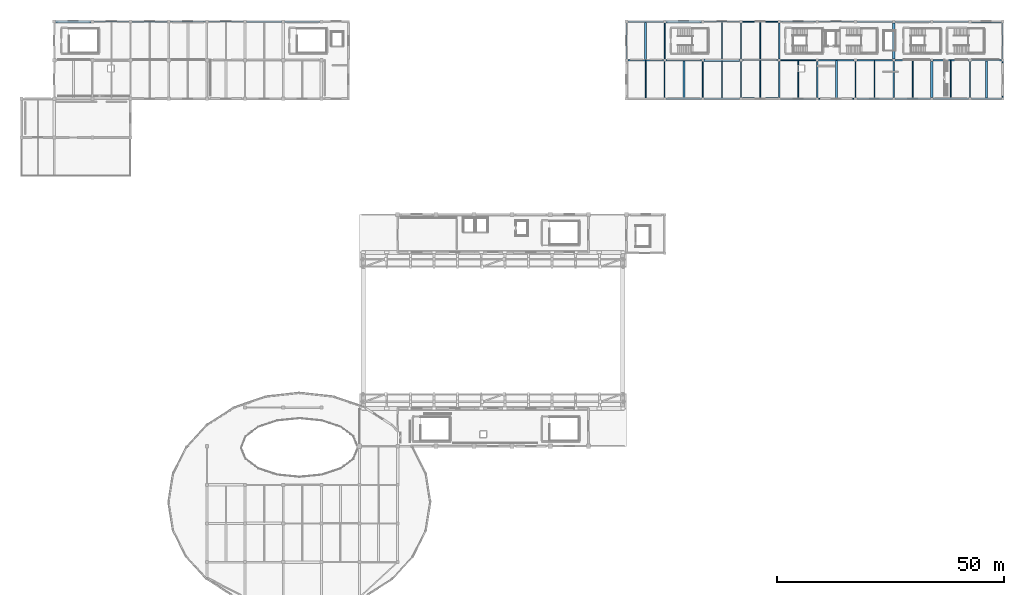
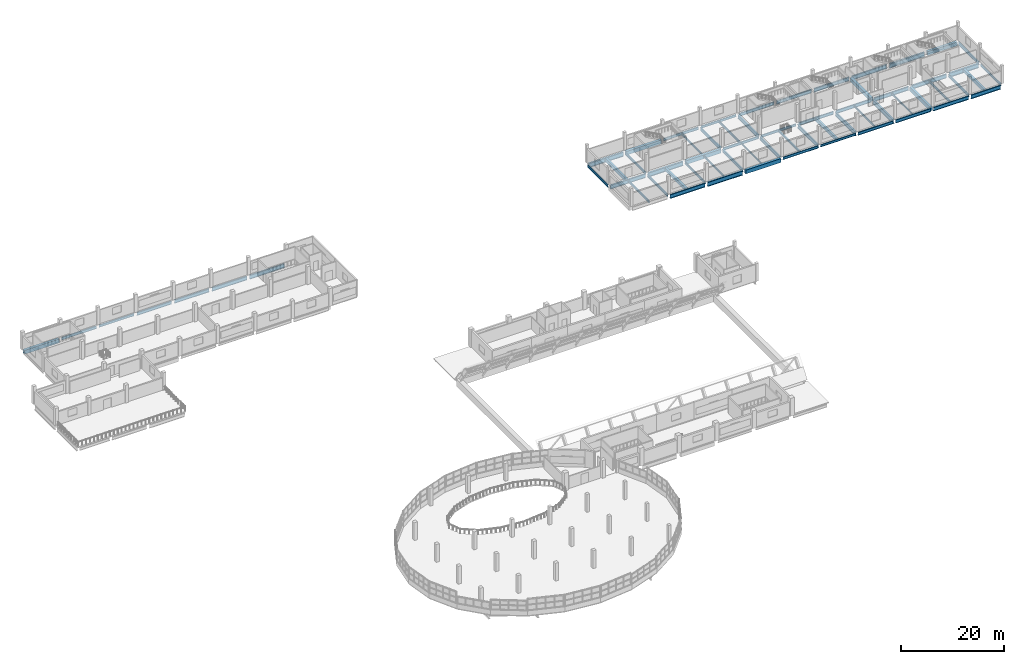
# One storey, part 32 of 52: 65 beams.
"""IFC4 building model written with IfcOpenShell, lengths in metres."""

import ifcopenshell
import ifcopenshell.guid

model = None  # the IFC model being written
_history = None  # IfcOwnerHistory: only IFC2X3 demands one
_inside = {}  # id of a spatial element -> (the spatial element, [elements in it])
_under = {}  # id of a project, library or spatial element -> (it, [spatial elements below it])
_declared = {}  # id of a project -> (the project, [libraries it declares])
_typed = {}  # id of a type object -> (the type object, [elements of that type])
_made_of = {}  # id of a material, layer set ... -> (it, [elements and type objects made of it])


def new_model(schema):
    """Start an empty IFC model of exactly this schema.

    Asked for "IFC4X3", IfcOpenShell would pick the latest addendum, in which some entities
    have other attributes; the version numbers below select the first issue.
    IFC2X3 requires an IfcOwnerHistory on every rooted entity: one is made here for all.
    """
    global model, _history
    if schema == "IFC4X3":
        model = ifcopenshell.file(schema_version=(4, 3, 0, 0))
    else:
        model = ifcopenshell.file(schema=schema)
    _inside.clear()
    _under.clear()
    _declared.clear()
    _typed.clear()
    _made_of.clear()
    _history = None
    if model.schema == "IFC2X3":
        org = make("IfcOrganization", Name="unknown")
        user = make(
            "IfcPersonAndOrganization",
            ThePerson=make("IfcPerson", FamilyName="unknown"),
            TheOrganization=org,
        )
        app = make(
            "IfcApplication",
            ApplicationDeveloper=org,
            Version="unknown",
            ApplicationFullName="unknown",
            ApplicationIdentifier="unknown",
        )
        _history = make(
            "IfcOwnerHistory",
            OwningUser=user,
            OwningApplication=app,
            ChangeAction="ADDED",
            CreationDate=0,
        )
    return model


def make(cls, **values):
    """One entity of the class cls with the attributes given. An attribute that is None is left unset."""
    return model.create_entity(
        cls, **{name: value for name, value in values.items() if value is not None}
    )


def rooted(cls, **values):
    """An entity with a GlobalId (a new one), such as an element, a storey or a relation."""
    return make(cls, GlobalId=ifcopenshell.guid.new(), OwnerHistory=_history, **values)


def si_unit(unit_type, name, prefix=None):
    """IfcSIUnit, for example si_unit("LENGTHUNIT", "METRE", prefix="MILLI")."""
    return make("IfcSIUnit", UnitType=unit_type, Prefix=prefix, Name=name)


def assignment(units):
    """IfcUnitAssignment: the units of a project."""
    return None if units is None else make("IfcUnitAssignment", Units=units)


def point(xyz):
    """IfcCartesianPoint."""
    return None if xyz is None else make("IfcCartesianPoint", Coordinates=xyz)


def direction(xyz):
    """IfcDirection."""
    return None if xyz is None else make("IfcDirection", DirectionRatios=xyz)


def frame(location, z_axis=None, x_axis=None):
    """IfcAxis2Placement3D, a coordinate frame: its origin and axes. An axis left out is left unset."""
    return make(
        "IfcAxis2Placement3D",
        Location=point(location),
        Axis=direction(z_axis),
        RefDirection=direction(x_axis),
    )


def frame_2d(location, x_axis=None):
    """IfcAxis2Placement2D, a coordinate frame in the plane: its origin and x axis."""
    return make(
        "IfcAxis2Placement2D", Location=point(location), RefDirection=direction(x_axis)
    )


def origin():
    """The frame at (0, 0, 0) with its axes left unset."""
    return frame((0.0, 0.0, 0.0))


def origin_2d():
    """The frame at (0, 0) in the plane with its x axis left unset."""
    return frame_2d((0.0, 0.0))


def place(relative_to, where):
    """IfcLocalPlacement: puts the frame where relative to a parent placement (None: the world)."""
    return make(
        "IfcLocalPlacement", PlacementRelTo=relative_to, RelativePlacement=where
    )


def context(
    kind, dimensions, precision=None, world=None, true_north=None, identifier=None
):
    """IfcGeometricRepresentationContext, for example the 3D "Model" context."""
    return make(
        "IfcGeometricRepresentationContext",
        ContextIdentifier=identifier,
        ContextType=kind,
        CoordinateSpaceDimension=dimensions,
        Precision=precision,
        WorldCoordinateSystem=world,
        TrueNorth=true_north,
    )


def subcontext(parent, identifier, kind, view, scale=None):
    """IfcGeometricRepresentationSubContext, for example "Body" below "Model"."""
    return make(
        "IfcGeometricRepresentationSubContext",
        ContextIdentifier=identifier,
        ContextType=kind,
        ParentContext=parent,
        TargetScale=scale,
        TargetView=view,
    )


def project(units=None, contexts=None):
    """IfcProject with its units and contexts."""
    return rooted(
        "IfcProject",
        Name="project",
        RepresentationContexts=contexts,
        UnitsInContext=assignment(units),
    )


def spatial(cls, under=None, at=None, **own):
    """A site, building, storey or space (cls), placed at a placement, below another one or the project."""
    s = rooted(cls, ObjectPlacement=at, **own)
    if under is not None:
        _under.setdefault(under.id(), (under, []))[1].append(s)
    return s


def profile(cls, at=None, kind="AREA", **sizes):
    """A parametric profile (cls). Its sizes go by their IFC names, for example OverallWidth=200.0."""
    return make(cls, ProfileType=kind, Position=at, **sizes)


def rectangle(**sizes):
    """IfcRectangleProfileDef."""
    return profile("IfcRectangleProfileDef", **sizes)


def i_section(**sizes):
    """IfcIShapeProfileDef."""
    return profile("IfcIShapeProfileDef", **sizes)


def extrude(swept, where, along, depth):
    """IfcExtrudedAreaSolid: the profile swept, set in the frame where, extruded along a direction by depth."""
    return make(
        "IfcExtrudedAreaSolid",
        SweptArea=swept,
        Position=where,
        ExtrudedDirection=direction(along),
        Depth=depth,
    )


def shape(context_of_items, identifier, shape_type, items):
    """IfcShapeRepresentation: the items that make up one representation, for example the "Body"."""
    return make(
        "IfcShapeRepresentation",
        ContextOfItems=context_of_items,
        RepresentationIdentifier=identifier,
        RepresentationType=shape_type,
        Items=items,
    )


def material(Name=None, Category=None):
    """IfcMaterial."""
    return make("IfcMaterial", Name=Name, Category=Category)


def material_profile(
    of_material, cross_section, Name=None, Category=None, Priority=None
):
    """IfcMaterialProfile: a cross section and its material."""
    return make(
        "IfcMaterialProfile",
        Name=Name,
        Material=of_material,
        Profile=cross_section,
        Priority=Priority,
        Category=Category,
    )


def profile_set(profiles, Name=None, composite=None):
    """IfcMaterialProfileSet."""
    return make(
        "IfcMaterialProfileSet",
        Name=Name,
        MaterialProfiles=profiles,
        CompositeProfile=composite,
    )


def made_of(thing, what):
    """Note that an element or type object is made of a material, layer set ...; save() writes the relation."""
    if what is not None:
        _made_of.setdefault(what.id(), (what, []))[1].append(thing)
    return thing


def type_object(cls, material=None, **own):
    """A type object (cls), such as IfcWallType, which elements share."""
    return made_of(rooted(cls, **own), material)


def element(
    cls,
    number,
    at=None,
    inside=None,
    cuts=None,
    type_object=None,
    material=None,
    context=None,
    identifier="Body",
    shape_type=None,
    held_by="IfcProductDefinitionShape",
    body=None,
    shapes=None,
    **own,
):
    """One element of the class cls, such as IfcWall. Its Tag is "e" and its number.

    at: its placement. inside: the storey or other place that contains it. cuts: it is an
    opening in that element (IfcRelVoidsElement). A single representation is given by context,
    identifier, shape_type and body (its items); several are given by shapes. held_by: the class
    of the entity that holds the representations. save() writes the other relations.
    """
    e = rooted(cls, Tag="e%d" % number, ObjectPlacement=at, **own)
    if body is not None:
        shapes = [shape(context, identifier, shape_type, body)]
    if shapes is not None:
        e.Representation = make(held_by, Representations=shapes)
    if inside is not None:
        _inside.setdefault(inside.id(), (inside, []))[1].append(e)
    if cuts is not None:
        rooted(
            "IfcRelVoidsElement", RelatingBuildingElement=cuts, RelatedOpeningElement=e
        )
    if type_object is not None:
        _typed.setdefault(type_object.id(), (type_object, []))[1].append(e)
    return made_of(e, material)


def aggregate(whole, parts):
    """IfcRelAggregates: a whole, such as a stair, and the parts it consists of."""
    return rooted("IfcRelAggregates", RelatingObject=whole, RelatedObjects=parts)


def save(model, path):
    """Write the relations noted so far, then the file.

    IfcRelAggregates (storeys below a building ...), IfcRelContainedInSpatialStructure (elements
    in a storey), IfcRelDefinesByType, IfcRelAssociatesMaterial and IfcRelDeclares: one each for
    every whole, place, type object, material and project.
    """
    for whole, parts in _under.values():
        aggregate(whole, parts)
    for where, things in _inside.values():
        rooted(
            "IfcRelContainedInSpatialStructure",
            RelatedElements=things,
            RelatingStructure=where,
        )
    for kind, things in _typed.values():
        rooted("IfcRelDefinesByType", RelatedObjects=things, RelatingType=kind)
    for what, things in _made_of.values():
        rooted("IfcRelAssociatesMaterial", RelatedObjects=things, RelatingMaterial=what)
    for by, libraries in _declared.values():
        rooted("IfcRelDeclares", RelatingContext=by, RelatedDefinitions=libraries)
    model.write(path)


model = new_model("IFC4")

# Units and contexts
model_context = context("Model", 3, precision=1e-05, world=origin(), true_north=direction((0.0, 1.0)))
body_context = subcontext(model_context, "Body", "Model", "MODEL_VIEW")
ifc_project = project(units=[si_unit("LENGTHUNIT", "METRE"), si_unit("AREAUNIT", "SQUARE_METRE"), si_unit("VOLUMEUNIT", "CUBIC_METRE"), si_unit("PLANEANGLEUNIT", "RADIAN"), si_unit("MASSUNIT", "GRAM", prefix="KILO")], contexts=[model_context])

# Site, building, storey
site_placement = place(None, origin())
site = spatial("IfcSite", under=ifc_project, at=site_placement, CompositionType="ELEMENT")
building_placement = place(site_placement, origin())
building = spatial("IfcBuilding", under=site, at=building_placement, Name="Solvento Point Concert Hall", CompositionType="ELEMENT")
storey_placement = place(building_placement, frame((0.0, 0.0, 19.5)))
storey = spatial("IfcBuildingStorey", under=building, at=storey_placement, Name="L04", CompositionType="ELEMENT", Elevation=19.5)

# Beams
ifc_material_1 = material(Name="Concrete C35/45", Category="concrete")
ifc_material_profile_1 = material_profile(ifc_material_1, rectangle(XDim=0.449951171875, YDim=0.75, at=origin_2d()), Name="RC-BM-450X750")
ifc_profile_set_1 = profile_set([ifc_material_profile_1], Name="Concrete C35/45")
beam_type_1 = type_object("IfcBeamType", Name="Beam_RC_450x750", PredefinedType="BEAM", material=ifc_profile_set_1)
for number, where, z_axis, x_axis, name in (
    (1, (137.39990234375, 127.638916015625, -0.799072265625), (0.0, 1.0, 0.0), (-1.0, 0.0, 0.0), "Secondary floor joist B-28 L04"),
    (2, (145.800048828125, 119.138916015625, -0.799072265625), (0.0, 1.0, 0.0), (-1.0, 0.0, 0.0), "Secondary floor joist B-28 L04"),
):
    element("IfcBeam", number, at=place(storey_placement, frame(where, z_axis=z_axis, x_axis=x_axis)), inside=storey, type_object=beam_type_1, Name=name, PredefinedType="BEAM", context=body_context, shape_type="SweptSolid", body=[
        extrude(rectangle(XDim=0.449951171875, YDim=0.75, at=origin_2d()), origin(), (0.0, 0.0, 1.0), 8.195556640625),
    ])
beam_1_placement = place(storey_placement, frame((179.39990234375, 119.092041015625, -0.799072265625), z_axis=(0.0, 1.0, 0.0), x_axis=(-1.0, 0.0, 0.0)))
element("IfcBeam", 3, at=beam_1_placement, inside=storey, type_object=beam_type_1, Name="Secondary floor joist B-28 L04", PredefinedType="BEAM", context=body_context, shape_type="SweptSolid", body=[
    extrude(rectangle(XDim=0.449951171875, YDim=0.75, at=origin_2d()), origin(), (0.0, 0.0, 1.0), 8.294921875),
])
beam_2_placement = place(storey_placement, frame((212.39990234375, 119.138916015625, -0.799072265625), z_axis=(0.0, 1.0, 0.0), x_axis=(-1.0, 0.0, 0.0)))
element("IfcBeam", 4, at=beam_2_placement, inside=storey, type_object=beam_type_1, Name="Secondary floor joist B-28 L04", PredefinedType="BEAM", context=body_context, shape_type="SweptSolid", body=[
    extrude(rectangle(XDim=0.449951171875, YDim=0.75, at=origin_2d()), origin(), (0.0, 0.0, 1.0), 8.195556640625),
])
ifc_material_2 = material(Name="Structural Steel ASTM A992 Grade 50", Category="steel")
ifc_material_profile_2 = material_profile(ifc_material_2, i_section(OverallWidth=0.20947265625, OverallDepth=0.532958984375, WebThickness=0.01025390625, FlangeThickness=0.015625, at=origin_2d()), Name="W21X62")
ifc_profile_set_2 = profile_set([ifc_material_profile_2], Name="Structural Steel ASTM A992 Grade 50")
beam_type_2 = type_object("IfcBeamType", Name="Beam_W21X62", PredefinedType="BEAM", material=ifc_profile_set_2)
beam_3_placement = place(storey_placement, frame((137.39990234375, 119.131103515625, -0.6904296875), z_axis=(0.0, 1.0, 0.0), x_axis=(-1.0, 0.0, 0.0)))
element("IfcBeam", 5, at=beam_3_placement, inside=storey, type_object=beam_type_2, Name="Secondary floor joist B-25 L04", PredefinedType="BEAM", context=body_context, shape_type="SweptSolid", body=[
    extrude(i_section(OverallWidth=0.20947265625, OverallDepth=0.532958984375, WebThickness=0.01025390625, FlangeThickness=0.015625, at=origin_2d()), origin(), (0.0, 0.0, 1.0), 8.22998046875),
])
for number, where, z_axis, x_axis, name in (
    (6, (162.60009765625, 127.59912109375, -0.6904296875), (0.0, 1.0, 0.0), (-1.0, 0.0, 0.0), "Secondary floor joist B-25 L04"),
    (7, (171.0, 119.09912109375, -0.6904296875), (0.0, 1.0, 0.0), (-1.0, 0.0, 0.0), "Secondary floor joist B-25 L04"),
):
    element("IfcBeam", number, at=place(storey_placement, frame(where, z_axis=z_axis, x_axis=x_axis)), inside=storey, type_object=beam_type_2, Name=name, PredefinedType="BEAM", context=body_context, shape_type="SweptSolid", body=[
        extrude(i_section(OverallWidth=0.20947265625, OverallDepth=0.532958984375, WebThickness=0.01025390625, FlangeThickness=0.015625, at=origin_2d()), origin(), (0.0, 0.0, 1.0), 8.308837890625),
    ])
beam_4_placement = place(storey_placement, frame((204.60009765625, 119.131103515625, -0.6904296875), z_axis=(0.0, 1.0, 0.0), x_axis=(-1.0, 0.0, 0.0)))
element("IfcBeam", 8, at=beam_4_placement, inside=storey, type_object=beam_type_2, Name="Secondary floor joist B-25 L04", PredefinedType="BEAM", context=body_context, shape_type="SweptSolid", body=[
    extrude(i_section(OverallWidth=0.20947265625, OverallDepth=0.532958984375, WebThickness=0.01025390625, FlangeThickness=0.015625, at=origin_2d()), origin(), (0.0, 0.0, 1.0), 8.22998046875),
])
ifc_material_3 = material(Name="Structural Steel ASTM A992 Grade 50", Category="steel")
ifc_material_profile_3 = material_profile(ifc_material_3, i_section(OverallWidth=0.214111328125, OverallDepth=0.549072265625, WebThickness=0.0146484375, FlangeThickness=0.023681640625, at=origin_2d()), Name="W21X93")
ifc_profile_set_3 = profile_set([ifc_material_profile_3], Name="Structural Steel ASTM A992 Grade 50")
beam_type_3 = type_object("IfcBeamType", Name="Beam_W21X93", PredefinedType="BEAM", material=ifc_profile_set_3)
for number, where, z_axis, x_axis, name in (
    (9, (175.493896484375, 119.0, -0.698486328125), (1.0, 0.0, 0.0), (0.0, 1.0, 0.0), "Primary girder B-48 L04"),
    (10, (167.093994140625, 127.5, -0.698486328125), (1.0, 0.0, 0.0), (0.0, 1.0, 0.0), "Primary girder B-48 L04"),
):
    element("IfcBeam", number, at=place(storey_placement, frame(where, z_axis=z_axis, x_axis=x_axis)), inside=storey, type_object=beam_type_3, Name=name, PredefinedType="BEAM", context=body_context, shape_type="SweptSolid", body=[
        extrude(i_section(OverallWidth=0.214111328125, OverallDepth=0.549072265625, WebThickness=0.0146484375, FlangeThickness=0.023681640625, at=origin_2d()), origin(), (0.0, 0.0, 1.0), 7.81201171875),
    ])
beam_5_placement = place(storey_placement, frame((24.319091796875, 136.0, -0.618408203125), z_axis=(1.0, 0.0, 0.0), x_axis=(0.0, 1.0, 0.0)))
element("IfcBeam", 11, at=beam_5_placement, inside=storey, type_object=beam_type_3, Name="Primary girder B-48 L04", PredefinedType="BEAM", context=body_context, shape_type="SweptSolid", body=[
    extrude(i_section(OverallWidth=0.214111328125, OverallDepth=0.549072265625, WebThickness=0.0146484375, FlangeThickness=0.023681640625, at=origin_2d()), origin(), (0.0, 0.0, 1.0), 7.761962890625),
])
beam_6_placement = place(storey_placement, frame((158.694091796875, 136.0, -0.698486328125), z_axis=(1.0, 0.0, 0.0), x_axis=(0.0, 1.0, 0.0)))
element("IfcBeam", 12, at=beam_6_placement, inside=storey, type_object=beam_type_3, Name="Primary girder B-48 L04", PredefinedType="BEAM", context=body_context, shape_type="SweptSolid", body=[
    extrude(i_section(OverallWidth=0.214111328125, OverallDepth=0.549072265625, WebThickness=0.0146484375, FlangeThickness=0.023681640625, at=origin_2d()), origin(), (0.0, 0.0, 1.0), 7.81201171875),
])
for number, where, z_axis, x_axis, name in (
    (13, (141.60009765625, 127.7939453125, -0.698486328125), (0.0, 1.0, 0.0), (-1.0, 0.0, 0.0), "Primary girder B-48 L04"),
    (14, (150.0, 119.2939453125, -0.698486328125), (0.0, 1.0, 0.0), (-1.0, 0.0, 0.0), "Primary girder B-48 L04"),
    (15, (216.0, 119.2939453125, -0.698486328125), (0.0, 1.0, 0.0), (-1.0, 0.0, 0.0), "Primary girder B-48 L04"),
):
    element("IfcBeam", number, at=place(storey_placement, frame(where, z_axis=z_axis, x_axis=x_axis)), inside=storey, type_object=beam_type_3, Name=name, PredefinedType="BEAM", context=body_context, shape_type="SweptSolid", body=[
        extrude(i_section(OverallWidth=0.214111328125, OverallDepth=0.549072265625, WebThickness=0.0146484375, FlangeThickness=0.023681640625, at=origin_2d()), origin(), (0.0, 0.0, 1.0), 7.912109375),
    ])
ifc_material_4 = material(Name="Structural Steel ASTM A992 Grade 50", Category="steel")
ifc_material_profile_4 = material_profile(ifc_material_4, i_section(OverallWidth=0.228515625, OverallDepth=0.60791015625, WebThickness=0.01123046875, FlangeThickness=0.017333984375, at=origin_2d()), Name="W24X76")
ifc_profile_set_4 = profile_set([ifc_material_profile_4], Name="Structural Steel ASTM A992 Grade 50")
beam_type_4 = type_object("IfcBeamType", Name="Beam_W24X76", PredefinedType="BEAM", material=ifc_profile_set_4)
for number, where, z_axis, x_axis, name in (
    (16, (167.093994140625, 119.0, -0.72802734375), (1.0, 0.0, 0.0), (0.0, 1.0, 0.0), "Primary girder B-42 L04"),
    (17, (158.694091796875, 127.5, -0.72802734375), (1.0, 0.0, 0.0), (0.0, 1.0, 0.0), "Primary girder B-42 L04"),
):
    element("IfcBeam", number, at=place(storey_placement, frame(where, z_axis=z_axis, x_axis=x_axis)), inside=storey, type_object=beam_type_4, Name=name, PredefinedType="BEAM", context=body_context, shape_type="SweptSolid", body=[
        extrude(i_section(OverallWidth=0.228515625, OverallDepth=0.60791015625, WebThickness=0.01123046875, FlangeThickness=0.017333984375, at=origin_2d()), origin(), (0.0, 0.0, 1.0), 7.81201171875),
    ])
beam_7_placement = place(storey_placement, frame((15.9189453125, 136.0, -0.64794921875), z_axis=(1.0, 0.0, 0.0), x_axis=(0.0, 1.0, 0.0)))
element("IfcBeam", 18, at=beam_7_placement, inside=storey, type_object=beam_type_4, Name="Primary girder B-42 L04", PredefinedType="BEAM", context=body_context, shape_type="SweptSolid", body=[
    extrude(i_section(OverallWidth=0.228515625, OverallDepth=0.60791015625, WebThickness=0.01123046875, FlangeThickness=0.017333984375, at=origin_2d()), origin(), (0.0, 0.0, 1.0), 7.761962890625),
])
beam_8_placement = place(storey_placement, frame((150.2939453125, 136.0, -0.72802734375), z_axis=(1.0, 0.0, 0.0), x_axis=(0.0, 1.0, 0.0)))
element("IfcBeam", 19, at=beam_8_placement, inside=storey, type_object=beam_type_4, Name="Primary girder B-42 L04", PredefinedType="BEAM", context=body_context, shape_type="SweptSolid", body=[
    extrude(i_section(OverallWidth=0.228515625, OverallDepth=0.60791015625, WebThickness=0.01123046875, FlangeThickness=0.017333984375, at=origin_2d()), origin(), (0.0, 0.0, 1.0), 7.81201171875),
])
for number, where, z_axis, x_axis, name in (
    (20, (133.199951171875, 127.7939453125, -0.72802734375), (0.0, 1.0, 0.0), (-1.0, 0.0, 0.0), "Primary girder B-42 L04"),
    (21, (141.60009765625, 119.2939453125, -0.72802734375), (0.0, 1.0, 0.0), (-1.0, 0.0, 0.0), "Primary girder B-42 L04"),
    (22, (208.800048828125, 119.2939453125, -0.72802734375), (0.0, 1.0, 0.0), (-1.0, 0.0, 0.0), "Primary girder B-42 L04"),
):
    element("IfcBeam", number, at=place(storey_placement, frame(where, z_axis=z_axis, x_axis=x_axis)), inside=storey, type_object=beam_type_4, Name=name, PredefinedType="BEAM", context=body_context, shape_type="SweptSolid", body=[
        extrude(i_section(OverallWidth=0.228515625, OverallDepth=0.60791015625, WebThickness=0.01123046875, FlangeThickness=0.017333984375, at=origin_2d()), origin(), (0.0, 0.0, 1.0), 7.912109375),
    ])
ifc_material_5 = material(Name="Concrete C35/45", Category="concrete")
ifc_material_profile_5 = material_profile(ifc_material_5, rectangle(XDim=0.550048828125, YDim=0.89990234375, at=origin_2d()), Name="RC-BM-550X900")
ifc_profile_set_5 = profile_set([ifc_material_profile_5], Name="Concrete C35/45")
beam_type_5 = type_object("IfcBeamType", Name="Girder_RC_550x900", PredefinedType="USERDEFINED", material=ifc_profile_set_5)
for number, where, z_axis, x_axis, name in (
    (23, (158.694091796875, 119.0, -0.8740234375), (1.0, 0.0, 0.0), (0.0, 1.0, 0.0), "Primary girder B-39 L04"),
    (24, (150.2939453125, 127.5, -0.8740234375), (1.0, 0.0, 0.0), (0.0, 1.0, 0.0), "Primary girder B-39 L04"),
):
    element("IfcBeam", number, at=place(storey_placement, frame(where, z_axis=z_axis, x_axis=x_axis)), inside=storey, type_object=beam_type_5, Name=name, ObjectType="GIRDER", PredefinedType="USERDEFINED", context=body_context, shape_type="SweptSolid", body=[
        extrude(rectangle(XDim=0.550048828125, YDim=0.89990234375, at=origin_2d()), origin(), (0.0, 0.0, 1.0), 7.81201171875),
    ])
beam_9_placement = place(storey_placement, frame((7.51904296875, 136.0, -0.7939453125), z_axis=(1.0, 0.0, 0.0), x_axis=(0.0, 1.0, 0.0)))
element("IfcBeam", 25, at=beam_9_placement, inside=storey, type_object=beam_type_5, Name="Primary girder B-39 L04", ObjectType="GIRDER", PredefinedType="USERDEFINED", context=body_context, shape_type="SweptSolid", body=[
    extrude(rectangle(XDim=0.550048828125, YDim=0.89990234375, at=origin_2d()), origin(), (0.0, 0.0, 1.0), 7.761962890625),
])
beam_10_placement = place(storey_placement, frame((141.89404296875, 136.0, -0.8740234375), z_axis=(1.0, 0.0, 0.0), x_axis=(0.0, 1.0, 0.0)))
element("IfcBeam", 26, at=beam_10_placement, inside=storey, type_object=beam_type_5, Name="Primary girder B-39 L04", ObjectType="GIRDER", PredefinedType="USERDEFINED", context=body_context, shape_type="SweptSolid", body=[
    extrude(rectangle(XDim=0.550048828125, YDim=0.89990234375, at=origin_2d()), origin(), (0.0, 0.0, 1.0), 7.81201171875),
])
beam_11_placement = place(storey_placement, frame((209.093994140625, 136.0, -0.8740234375), z_axis=(1.0, 0.0, 0.0), x_axis=(0.0, 1.0, 0.0)))
element("IfcBeam", 27, at=beam_11_placement, inside=storey, type_object=beam_type_5, Name="Primary girder B-39 L04", ObjectType="GIRDER", PredefinedType="USERDEFINED", context=body_context, shape_type="SweptSolid", body=[
    extrude(rectangle(XDim=0.550048828125, YDim=0.89990234375, at=origin_2d()), origin(), (0.0, 0.0, 1.0), 6.612060546875),
])
for number, where, z_axis, x_axis, name in (
    (28, (192.0, 127.7939453125, -0.8740234375), (0.0, 1.0, 0.0), (-1.0, 0.0, 0.0), "Primary girder B-39 L04"),
    (29, (200.39990234375, 119.2939453125, -0.8740234375), (0.0, 1.0, 0.0), (-1.0, 0.0, 0.0), "Primary girder B-39 L04"),
):
    element("IfcBeam", number, at=place(storey_placement, frame(where, z_axis=z_axis, x_axis=x_axis)), inside=storey, type_object=beam_type_5, Name=name, ObjectType="GIRDER", PredefinedType="USERDEFINED", context=body_context, shape_type="SweptSolid", body=[
        extrude(rectangle(XDim=0.550048828125, YDim=0.89990234375, at=origin_2d()), origin(), (0.0, 0.0, 1.0), 7.912109375),
    ])
ifc_material_6 = material(Name="Structural Steel ASTM A992 Grade 50", Category="steel")
ifc_material_profile_6 = material_profile(ifc_material_6, i_section(OverallWidth=0.256103515625, OverallDepth=0.693115234375, WebThickness=0.014404296875, FlangeThickness=0.023681640625, at=origin_2d()), Name="W27X114")
ifc_profile_set_6 = profile_set([ifc_material_profile_6], Name="Structural Steel ASTM A992 Grade 50")
beam_type_6 = type_object("IfcBeamType", Name="Girder_W27X114", PredefinedType="USERDEFINED", material=ifc_profile_set_6)
for number, where, z_axis, x_axis, name in (
    (30, (183.89404296875, 119.0, -0.7705078125), (1.0, 0.0, 0.0), (0.0, 1.0, 0.0), "Primary girder B-23 L04"),
    (31, (175.493896484375, 127.5, -0.7705078125), (1.0, 0.0, 0.0), (0.0, 1.0, 0.0), "Primary girder B-23 L04"),
):
    element("IfcBeam", number, at=place(storey_placement, frame(where, z_axis=z_axis, x_axis=x_axis)), inside=storey, type_object=beam_type_6, Name=name, ObjectType="GIRDER", PredefinedType="USERDEFINED", context=body_context, shape_type="SweptSolid", body=[
        extrude(i_section(OverallWidth=0.256103515625, OverallDepth=0.693115234375, WebThickness=0.014404296875, FlangeThickness=0.023681640625, at=origin_2d()), origin(), (0.0, 0.0, 1.0), 7.81201171875),
    ])
beam_12_placement = place(storey_placement, frame((32.718994140625, 136.0, -0.6904296875), z_axis=(1.0, 0.0, 0.0), x_axis=(0.0, 1.0, 0.0)))
element("IfcBeam", 32, at=beam_12_placement, inside=storey, type_object=beam_type_6, Name="Primary girder B-23 L04", ObjectType="GIRDER", PredefinedType="USERDEFINED", context=body_context, shape_type="SweptSolid", body=[
    extrude(i_section(OverallWidth=0.256103515625, OverallDepth=0.693115234375, WebThickness=0.014404296875, FlangeThickness=0.023681640625, at=origin_2d()), origin(), (0.0, 0.0, 1.0), 7.761962890625),
])
beam_13_placement = place(storey_placement, frame((167.093994140625, 136.0, -0.7705078125), z_axis=(1.0, 0.0, 0.0), x_axis=(0.0, 1.0, 0.0)))
element("IfcBeam", 33, at=beam_13_placement, inside=storey, type_object=beam_type_6, Name="Primary girder B-23 L04", ObjectType="GIRDER", PredefinedType="USERDEFINED", context=body_context, shape_type="SweptSolid", body=[
    extrude(i_section(OverallWidth=0.256103515625, OverallDepth=0.693115234375, WebThickness=0.014404296875, FlangeThickness=0.023681640625, at=origin_2d()), origin(), (0.0, 0.0, 1.0), 7.81201171875),
])
for number, where, z_axis, x_axis, name in (
    (34, (158.39990234375, 119.2939453125, -0.7705078125), (0.0, 1.0, 0.0), (-1.0, 0.0, 0.0), "Primary girder B-23 L04"),
    (35, (216.0, 127.7939453125, -0.7705078125), (0.0, 1.0, 0.0), (-1.0, 0.0, 0.0), "Primary girder B-23 L04"),
):
    element("IfcBeam", number, at=place(storey_placement, frame(where, z_axis=z_axis, x_axis=x_axis)), inside=storey, type_object=beam_type_6, Name=name, ObjectType="GIRDER", PredefinedType="USERDEFINED", context=body_context, shape_type="SweptSolid", body=[
        extrude(i_section(OverallWidth=0.256103515625, OverallDepth=0.693115234375, WebThickness=0.014404296875, FlangeThickness=0.023681640625, at=origin_2d()), origin(), (0.0, 0.0, 1.0), 7.912109375),
    ])
ifc_material_7 = material(Name="Structural Steel ASTM A992 Grade 50", Category="steel")
ifc_material_profile_7 = material_profile(ifc_material_7, i_section(OverallWidth=0.26806640625, OverallDepth=0.77001953125, WebThickness=0.015625, FlangeThickness=0.025390625, at=origin_2d()), Name="W30X132")
ifc_profile_set_7 = profile_set([ifc_material_profile_7], Name="Structural Steel ASTM A992 Grade 50")
beam_type_7 = type_object("IfcBeamType", Name="Girder_W30X132", PredefinedType="USERDEFINED", material=ifc_profile_set_7)
for number, where, z_axis, x_axis, name in (
    (36, (192.2939453125, 119.0, -0.80908203125), (1.0, 0.0, 0.0), (0.0, 1.0, 0.0), "Primary girder B-68 L04"),
    (37, (183.89404296875, 127.5, -0.80908203125), (1.0, 0.0, 0.0), (0.0, 1.0, 0.0), "Primary girder B-68 L04"),
):
    element("IfcBeam", number, at=place(storey_placement, frame(where, z_axis=z_axis, x_axis=x_axis)), inside=storey, type_object=beam_type_7, Name=name, ObjectType="GIRDER", PredefinedType="USERDEFINED", context=body_context, shape_type="SweptSolid", body=[
        extrude(i_section(OverallWidth=0.26806640625, OverallDepth=0.77001953125, WebThickness=0.015625, FlangeThickness=0.025390625, at=origin_2d()), origin(), (0.0, 0.0, 1.0), 7.81201171875),
    ])
beam_14_placement = place(storey_placement, frame((41.118896484375, 136.0, -0.72900390625), z_axis=(1.0, 0.0, 0.0), x_axis=(0.0, 1.0, 0.0)))
element("IfcBeam", 38, at=beam_14_placement, inside=storey, type_object=beam_type_7, Name="Primary girder B-68 L04", ObjectType="GIRDER", PredefinedType="USERDEFINED", context=body_context, shape_type="SweptSolid", body=[
    extrude(i_section(OverallWidth=0.26806640625, OverallDepth=0.77001953125, WebThickness=0.015625, FlangeThickness=0.025390625, at=origin_2d()), origin(), (0.0, 0.0, 1.0), 7.76220703125),
])
beam_15_placement = place(storey_placement, frame((175.493896484375, 136.0, -0.80908203125), z_axis=(1.0, 0.0, 0.0), x_axis=(0.0, 1.0, 0.0)))
element("IfcBeam", 39, at=beam_15_placement, inside=storey, type_object=beam_type_7, Name="Primary girder B-68 L04", ObjectType="GIRDER", PredefinedType="USERDEFINED", context=body_context, shape_type="SweptSolid", body=[
    extrude(i_section(OverallWidth=0.26806640625, OverallDepth=0.77001953125, WebThickness=0.015625, FlangeThickness=0.025390625, at=origin_2d()), origin(), (0.0, 0.0, 1.0), 7.81201171875),
])
for number, where, z_axis, x_axis, name in (
    (40, (158.39990234375, 127.7939453125, -0.80908203125), (0.0, 1.0, 0.0), (-1.0, 0.0, 0.0), "Primary girder B-68 L04"),
    (41, (166.800048828125, 119.2939453125, -0.80908203125), (0.0, 1.0, 0.0), (-1.0, 0.0, 0.0), "Primary girder B-68 L04"),
):
    element("IfcBeam", number, at=place(storey_placement, frame(where, z_axis=z_axis, x_axis=x_axis)), inside=storey, type_object=beam_type_7, Name=name, ObjectType="GIRDER", PredefinedType="USERDEFINED", context=body_context, shape_type="SweptSolid", body=[
        extrude(i_section(OverallWidth=0.26806640625, OverallDepth=0.77001953125, WebThickness=0.015625, FlangeThickness=0.025390625, at=origin_2d()), origin(), (0.0, 0.0, 1.0), 7.912109375),
    ])
ifc_material_8 = material(Name="Structural Steel ASTM A992 Grade 50", Category="steel")
ifc_material_profile_8 = material_profile(ifc_material_8, i_section(OverallWidth=0.2919921875, OverallDepth=0.85888671875, WebThickness=0.01708984375, FlangeThickness=0.031005859375, at=origin_2d()), Name="W33X169")
ifc_profile_set_8 = profile_set([ifc_material_profile_8], Name="Structural Steel ASTM A992 Grade 50")
beam_type_8 = type_object("IfcBeamType", Name="Girder_W33X169", PredefinedType="USERDEFINED", material=ifc_profile_set_8)
for number, where, z_axis, x_axis, name in (
    (42, (200.694091796875, 119.0, -0.853515625), (1.0, 0.0, 0.0), (0.0, 1.0, 0.0), "Primary girder B-33 L04"),
    (43, (192.2939453125, 127.5, -0.853515625), (1.0, 0.0, 0.0), (0.0, 1.0, 0.0), "Primary girder B-33 L04"),
):
    element("IfcBeam", number, at=place(storey_placement, frame(where, z_axis=z_axis, x_axis=x_axis)), inside=storey, type_object=beam_type_8, Name=name, ObjectType="GIRDER", PredefinedType="USERDEFINED", context=body_context, shape_type="SweptSolid", body=[
        extrude(i_section(OverallWidth=0.2919921875, OverallDepth=0.85888671875, WebThickness=0.01708984375, FlangeThickness=0.031005859375, at=origin_2d()), origin(), (0.0, 0.0, 1.0), 7.81201171875),
    ])
beam_16_placement = place(storey_placement, frame((49.51904296875, 136.0, -0.7734375), z_axis=(1.0, 0.0, 0.0), x_axis=(0.0, 1.0, 0.0)))
element("IfcBeam", 44, at=beam_16_placement, inside=storey, type_object=beam_type_8, Name="Primary girder B-33 L04", ObjectType="GIRDER", PredefinedType="USERDEFINED", context=body_context, shape_type="SweptSolid", body=[
    extrude(i_section(OverallWidth=0.2919921875, OverallDepth=0.85888671875, WebThickness=0.01708984375, FlangeThickness=0.031005859375, at=origin_2d()), origin(), (0.0, 0.0, 1.0), 7.761962890625),
])
beam_17_placement = place(storey_placement, frame((183.89404296875, 136.0, -0.853515625), z_axis=(1.0, 0.0, 0.0), x_axis=(0.0, 1.0, 0.0)))
element("IfcBeam", 45, at=beam_17_placement, inside=storey, type_object=beam_type_8, Name="Primary girder B-33 L04", ObjectType="GIRDER", PredefinedType="USERDEFINED", context=body_context, shape_type="SweptSolid", body=[
    extrude(i_section(OverallWidth=0.2919921875, OverallDepth=0.85888671875, WebThickness=0.01708984375, FlangeThickness=0.031005859375, at=origin_2d()), origin(), (0.0, 0.0, 1.0), 7.81201171875),
])
for number, where, z_axis, x_axis, name in (
    (46, (166.800048828125, 127.7939453125, -0.853515625), (0.0, 1.0, 0.0), (-1.0, 0.0, 0.0), "Primary girder B-33 L04"),
    (47, (175.199951171875, 119.2939453125, -0.853515625), (0.0, 1.0, 0.0), (-1.0, 0.0, 0.0), "Primary girder B-33 L04"),
):
    element("IfcBeam", number, at=place(storey_placement, frame(where, z_axis=z_axis, x_axis=x_axis)), inside=storey, type_object=beam_type_8, Name=name, ObjectType="GIRDER", PredefinedType="USERDEFINED", context=body_context, shape_type="SweptSolid", body=[
        extrude(i_section(OverallWidth=0.2919921875, OverallDepth=0.85888671875, WebThickness=0.01708984375, FlangeThickness=0.031005859375, at=origin_2d()), origin(), (0.0, 0.0, 1.0), 7.912109375),
    ])
ifc_material_9 = material(Name="Structural Steel ASTM A992 Grade 50", Category="steel")
ifc_material_profile_9 = material_profile(ifc_material_9, i_section(OverallWidth=0.3076171875, OverallDepth=0.927001953125, WebThickness=0.019287109375, FlangeThickness=0.031982421875, at=origin_2d()), Name="W36X194")
ifc_profile_set_9 = profile_set([ifc_material_profile_9], Name="Structural Steel ASTM A992 Grade 50")
beam_type_9 = type_object("IfcBeamType", Name="Girder_W36X194", PredefinedType="USERDEFINED", material=ifc_profile_set_9)
beam_18_placement = place(storey_placement, frame((141.89404296875, 119.0, -0.887451171875), z_axis=(1.0, 0.0, 0.0), x_axis=(0.0, 1.0, 0.0)))
element("IfcBeam", 48, at=beam_18_placement, inside=storey, type_object=beam_type_9, Name="Primary girder B-61 L04", ObjectType="GIRDER", PredefinedType="USERDEFINED", context=body_context, shape_type="SweptSolid", body=[
    extrude(i_section(OverallWidth=0.3076171875, OverallDepth=0.927001953125, WebThickness=0.019287109375, FlangeThickness=0.031982421875, at=origin_2d()), origin(), (0.0, 0.0, 1.0), 7.81201171875),
])
beam_19_placement = place(storey_placement, frame((209.093994140625, 119.0, -0.887451171875), z_axis=(1.0, 0.0, 0.0), x_axis=(0.0, 1.0, 0.0)))
element("IfcBeam", 49, at=beam_19_placement, inside=storey, type_object=beam_type_9, Name="Primary girder B-61 L04", ObjectType="GIRDER", PredefinedType="USERDEFINED", context=body_context, shape_type="SweptSolid", body=[
    extrude(i_section(OverallWidth=0.3076171875, OverallDepth=0.927001953125, WebThickness=0.019287109375, FlangeThickness=0.031982421875, at=origin_2d()), origin(), (0.0, 0.0, 1.0), 6.612060546875),
])
for number, where, z_axis, x_axis, name in (
    (50, (133.493896484375, 127.5, -0.887451171875), (1.0, 0.0, 0.0), (0.0, 1.0, 0.0), "Primary girder B-61 L04"),
    (51, (200.694091796875, 127.5, -0.887451171875), (1.0, 0.0, 0.0), (0.0, 1.0, 0.0), "Primary girder B-61 L04"),
):
    element("IfcBeam", number, at=place(storey_placement, frame(where, z_axis=z_axis, x_axis=x_axis)), inside=storey, type_object=beam_type_9, Name=name, ObjectType="GIRDER", PredefinedType="USERDEFINED", context=body_context, shape_type="SweptSolid", body=[
        extrude(i_section(OverallWidth=0.3076171875, OverallDepth=0.927001953125, WebThickness=0.019287109375, FlangeThickness=0.031982421875, at=origin_2d()), origin(), (0.0, 0.0, 1.0), 7.81201171875),
    ])
beam_20_placement = place(storey_placement, frame((57.9189453125, 136.0, -0.8076171875), z_axis=(1.0, 0.0, 0.0), x_axis=(0.0, 1.0, 0.0)))
element("IfcBeam", 52, at=beam_20_placement, inside=storey, type_object=beam_type_9, Name="Primary girder B-61 L04", ObjectType="GIRDER", PredefinedType="USERDEFINED", context=body_context, shape_type="SweptSolid", body=[
    extrude(i_section(OverallWidth=0.3076171875, OverallDepth=0.927001953125, WebThickness=0.019287109375, FlangeThickness=0.031982421875, at=origin_2d()), origin(), (0.0, 0.0, 1.0), 7.761962890625),
])
beam_21_placement = place(storey_placement, frame((192.2939453125, 136.0, -0.887451171875), z_axis=(1.0, 0.0, 0.0), x_axis=(0.0, 1.0, 0.0)))
element("IfcBeam", 53, at=beam_21_placement, inside=storey, type_object=beam_type_9, Name="Primary girder B-61 L04", ObjectType="GIRDER", PredefinedType="USERDEFINED", context=body_context, shape_type="SweptSolid", body=[
    extrude(i_section(OverallWidth=0.3076171875, OverallDepth=0.927001953125, WebThickness=0.019287109375, FlangeThickness=0.031982421875, at=origin_2d()), origin(), (0.0, 0.0, 1.0), 7.81201171875),
])
beam_22_placement = place(storey_placement, frame((183.60009765625, 119.2939453125, -0.887451171875), z_axis=(0.0, 1.0, 0.0), x_axis=(-1.0, 0.0, 0.0)))
element("IfcBeam", 54, at=beam_22_placement, inside=storey, type_object=beam_type_9, Name="Primary girder B-61 L04", ObjectType="GIRDER", PredefinedType="USERDEFINED", context=body_context, shape_type="SweptSolid", body=[
    extrude(i_section(OverallWidth=0.3076171875, OverallDepth=0.927001953125, WebThickness=0.019287109375, FlangeThickness=0.031982421875, at=origin_2d()), origin(), (0.0, 0.0, 1.0), 7.912109375),
])
ifc_material_10 = material(Name="Structural Steel ASTM A992 Grade 50", Category="steel")
ifc_material_profile_10 = material_profile(ifc_material_10, i_section(OverallWidth=0.361083984375, OverallDepth=1.02587890625, WebThickness=0.01904296875, FlangeThickness=0.0361328125, at=origin_2d()), Name="W40X249")
ifc_profile_set_10 = profile_set([ifc_material_profile_10], Name="Structural Steel ASTM A992 Grade 50")
beam_type_10 = type_object("IfcBeamType", Name="Girder_W40X249", PredefinedType="USERDEFINED", material=ifc_profile_set_10)
for number, where, z_axis, x_axis, name in (
    (55, (150.2939453125, 119.0, -0.93701171875), (1.0, 0.0, 0.0), (0.0, 1.0, 0.0), "Primary girder B-29 L04"),
    (56, (141.89404296875, 127.5, -0.93701171875), (1.0, 0.0, 0.0), (0.0, 1.0, 0.0), "Primary girder B-29 L04"),
):
    element("IfcBeam", number, at=place(storey_placement, frame(where, z_axis=z_axis, x_axis=x_axis)), inside=storey, type_object=beam_type_10, Name=name, ObjectType="GIRDER", PredefinedType="USERDEFINED", context=body_context, shape_type="SweptSolid", body=[
        extrude(i_section(OverallWidth=0.361083984375, OverallDepth=1.02587890625, WebThickness=0.01904296875, FlangeThickness=0.0361328125, at=origin_2d()), origin(), (0.0, 0.0, 1.0), 7.81201171875),
    ])
beam_23_placement = place(storey_placement, frame((209.093994140625, 127.5, -0.93701171875), z_axis=(1.0, 0.0, 0.0), x_axis=(0.0, 1.0, 0.0)))
element("IfcBeam", 57, at=beam_23_placement, inside=storey, type_object=beam_type_10, Name="Primary girder B-29 L04", ObjectType="GIRDER", PredefinedType="USERDEFINED", context=body_context, shape_type="SweptSolid", body=[
    extrude(i_section(OverallWidth=0.361083984375, OverallDepth=1.02587890625, WebThickness=0.01904296875, FlangeThickness=0.0361328125, at=origin_2d()), origin(), (0.0, 0.0, 1.0), 6.612060546875),
])
for number, where, z_axis, x_axis, name in (
    (58, (133.493896484375, 136.0, -0.93701171875), (1.0, 0.0, 0.0), (0.0, 1.0, 0.0), "Primary girder B-29 L04"),
    (59, (200.694091796875, 136.0, -0.93701171875), (1.0, 0.0, 0.0), (0.0, 1.0, 0.0), "Primary girder B-29 L04"),
):
    element("IfcBeam", number, at=place(storey_placement, frame(where, z_axis=z_axis, x_axis=x_axis)), inside=storey, type_object=beam_type_10, Name=name, ObjectType="GIRDER", PredefinedType="USERDEFINED", context=body_context, shape_type="SweptSolid", body=[
        extrude(i_section(OverallWidth=0.361083984375, OverallDepth=1.02587890625, WebThickness=0.01904296875, FlangeThickness=0.0361328125, at=origin_2d()), origin(), (0.0, 0.0, 1.0), 7.81201171875),
    ])
beam_24_placement = place(storey_placement, frame((192.0, 119.2939453125, -0.93701171875), z_axis=(0.0, 1.0, 0.0), x_axis=(-1.0, 0.0, 0.0)))
element("IfcBeam", 60, at=beam_24_placement, inside=storey, type_object=beam_type_10, Name="Primary girder B-29 L04", ObjectType="GIRDER", PredefinedType="USERDEFINED", context=body_context, shape_type="SweptSolid", body=[
    extrude(i_section(OverallWidth=0.361083984375, OverallDepth=1.02587890625, WebThickness=0.01904296875, FlangeThickness=0.0361328125, at=origin_2d()), origin(), (0.0, 0.0, 1.0), 7.912109375),
])
ifc_material_11 = material(Name="Structural Steel ASTM A992 Grade 50", Category="steel")
ifc_material_profile_11 = material_profile(ifc_material_11, i_section(OverallWidth=0.177490234375, OverallDepth=0.403076171875, WebThickness=0.007568359375, FlangeThickness=0.010986328125, at=origin_2d()), Name="W16X36")
ifc_profile_set_11 = profile_set([ifc_material_profile_11], Name="Structural Steel ASTM A992 Grade 50")
beam_type_11 = type_object("IfcBeamType", Name="Joist_W16X36", PredefinedType="JOIST", material=ifc_profile_set_11)
beam_25_placement = place(storey_placement, frame((154.199951171875, 127.760009765625, -0.62548828125), z_axis=(0.0, 1.0, 0.0), x_axis=(-1.0, 0.0, 0.0)))
element("IfcBeam", 61, at=beam_25_placement, inside=storey, type_object=beam_type_11, Name="Secondary floor joist B-30 L04", PredefinedType="JOIST", context=body_context, shape_type="SweptSolid", body=[
    extrude(i_section(OverallWidth=0.177490234375, OverallDepth=0.403076171875, WebThickness=0.007568359375, FlangeThickness=0.010986328125, at=origin_2d()), origin(), (0.0, 0.0, 1.0), 8.140625),
])
beam_26_placement = place(storey_placement, frame((162.60009765625, 119.260009765625, -0.62548828125), z_axis=(0.0, 1.0, 0.0), x_axis=(-1.0, 0.0, 0.0)))
element("IfcBeam", 62, at=beam_26_placement, inside=storey, type_object=beam_type_11, Name="Secondary floor joist B-30 L04", PredefinedType="JOIST", context=body_context, shape_type="SweptSolid", body=[
    extrude(i_section(OverallWidth=0.177490234375, OverallDepth=0.403076171875, WebThickness=0.007568359375, FlangeThickness=0.010986328125, at=origin_2d()), origin(), (0.0, 0.0, 1.0), 8.140869140625),
])
beam_27_placement = place(storey_placement, frame((196.199951171875, 119.118896484375, -0.62548828125), z_axis=(0.0, 1.0, 0.0), x_axis=(-1.0, 0.0, 0.0)))
element("IfcBeam", 63, at=beam_27_placement, inside=storey, type_object=beam_type_11, Name="Secondary floor joist B-30 L04", PredefinedType="JOIST", context=body_context, shape_type="SweptSolid", body=[
    extrude(i_section(OverallWidth=0.177490234375, OverallDepth=0.403076171875, WebThickness=0.007568359375, FlangeThickness=0.010986328125, at=origin_2d()), origin(), (0.0, 0.0, 1.0), 8.25),
])
ifc_material_12 = material(Name="Structural Steel ASTM A992 Grade 50", Category="steel")
ifc_material_profile_12 = material_profile(ifc_material_12, i_section(OverallWidth=0.1904296875, OverallDepth=0.45703125, WebThickness=0.009033203125, FlangeThickness=0.014404296875, at=origin_2d()), Name="W18X50")
ifc_profile_set_12 = profile_set([ifc_material_profile_12], Name="Structural Steel ASTM A992 Grade 50")
beam_type_12 = type_object("IfcBeamType", Name="Joist_W18X50", PredefinedType="JOIST", material=ifc_profile_set_12)
beam_28_placement = place(storey_placement, frame((154.199951171875, 119.16552734375, -0.652587890625), z_axis=(0.0, 1.0, 0.0), x_axis=(-1.0, 0.0, 0.0)))
element("IfcBeam", 64, at=beam_28_placement, inside=storey, type_object=beam_type_12, Name="Secondary floor joist B-66 L04", PredefinedType="JOIST", context=body_context, shape_type="SweptSolid", body=[
    extrude(i_section(OverallWidth=0.1904296875, OverallDepth=0.45703125, WebThickness=0.009033203125, FlangeThickness=0.014404296875, at=origin_2d()), origin(), (0.0, 0.0, 1.0), 8.074462890625),
])
beam_29_placement = place(storey_placement, frame((187.800048828125, 119.113037109375, -0.652587890625), z_axis=(0.0, 1.0, 0.0), x_axis=(-1.0, 0.0, 0.0)))
element("IfcBeam", 65, at=beam_29_placement, inside=storey, type_object=beam_type_12, Name="Secondary floor joist B-66 L04", PredefinedType="JOIST", context=body_context, shape_type="SweptSolid", body=[
    extrude(i_section(OverallWidth=0.1904296875, OverallDepth=0.45703125, WebThickness=0.009033203125, FlangeThickness=0.014404296875, at=origin_2d()), origin(), (0.0, 0.0, 1.0), 8.26806640625),
])

save(model, "model.ifc")
